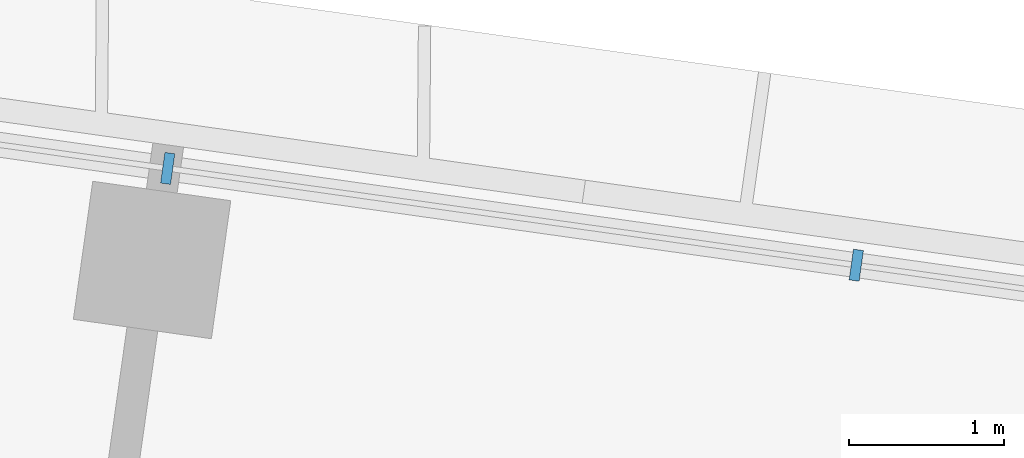
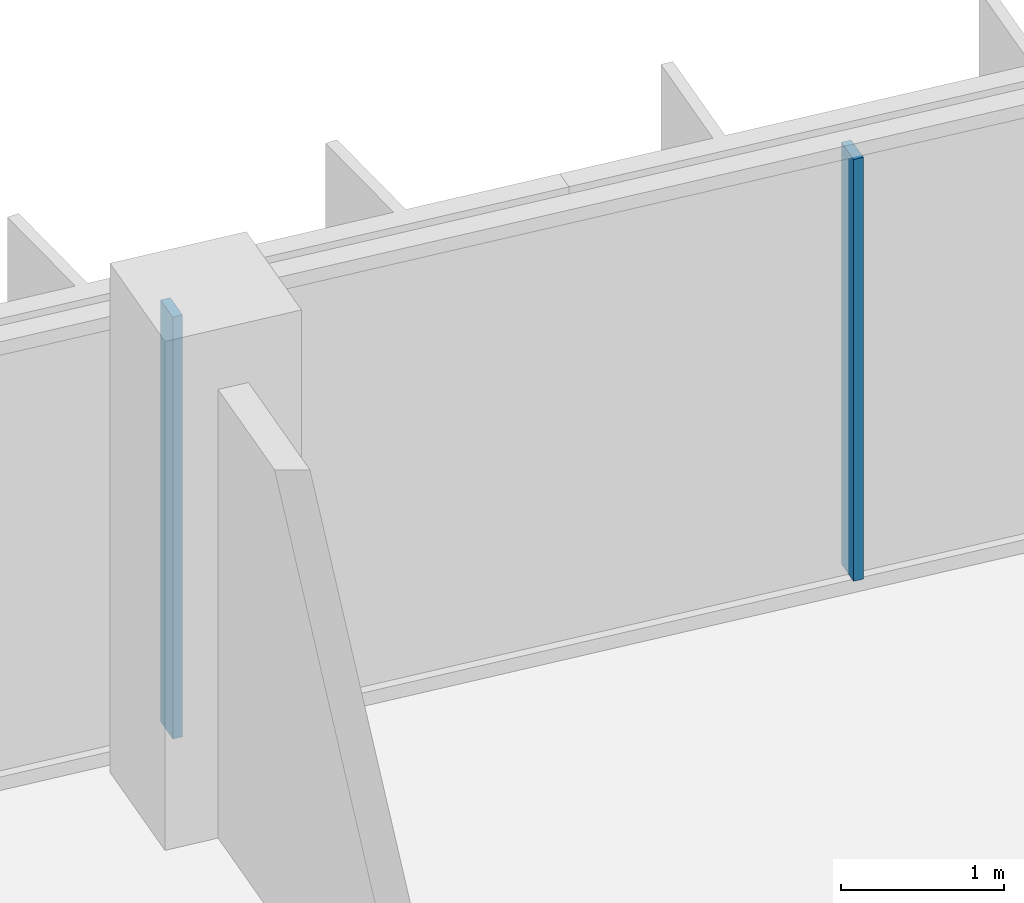
# One storey, part 3 of 26: 2 members, 1 element without a shape of its own.
"""IFC4 building model written with IfcOpenShell, lengths in metres."""

from ifc_helpers import new_model, si_unit, direction, frame, origin, origin_2d, place, context, subcontext, project, spatial, rectangle, extrude, material, material_profile, profile_set, type_object, element, aggregate, save


model = new_model("IFC4")

# Units and contexts
model_context = context("Model", 3, precision=1e-05, world=origin(), true_north=direction((0.0, 1.0)))
body_context = subcontext(model_context, "Body", "Model", "MODEL_VIEW")
ifc_project = project(units=[si_unit("LENGTHUNIT", "METRE"), si_unit("AREAUNIT", "SQUARE_METRE"), si_unit("VOLUMEUNIT", "CUBIC_METRE"), si_unit("PLANEANGLEUNIT", "RADIAN"), si_unit("MASSUNIT", "GRAM", prefix="KILO")], contexts=[model_context])

# Site, building, storey
site_placement = place(None, origin())
site = spatial("IfcSite", under=ifc_project, at=site_placement, CompositionType="ELEMENT")
building_placement = place(site_placement, origin())
building = spatial("IfcBuilding", under=site, at=building_placement, Name="Mirante Cascada Hotel Towers", CompositionType="ELEMENT")
storey_placement = place(building_placement, frame((0.0, 0.0, 113.9)))
storey = spatial("IfcBuildingStorey", under=building, at=storey_placement, Name="L25", CompositionType="ELEMENT", Elevation=113.9)

# Curtain wall, members
ifc_material_1 = material(Name="Aluminium mullion and transom frame with clear laminated glass", Category="aluminium")
curtain_wall_type = type_object("IfcCurtainWallType", Name="Ribbon curtain wall ECW1", PredefinedType="NOTDEFINED", material=ifc_material_1)
curtain_wall_placement = place(storey_placement, origin())
curtain_wall = element("IfcCurtainWall", 1, at=curtain_wall_placement, inside=storey, type_object=curtain_wall_type, Name="Front ribbon wall T1 L25", PredefinedType="NOTDEFINED")
ifc_material_2 = material(Name="Anodised aluminium extrusion", Category="aluminium")
ifc_material_profile = material_profile(ifc_material_2, rectangle(XDim=0.2, YDim=0.065, at=origin_2d()), Name="ECW1 MULLION 65x200")
ifc_profile_set = profile_set([ifc_material_profile], Name="Anodised aluminium extrusion")
member_type = type_object("IfcMemberType", Name="ECW1 mullion 65x200", PredefinedType="MULLION", material=ifc_profile_set)
member_1_placement = place(storey_placement, frame((-71.9211, 22.9269, 0.1), z_axis=(0.0, 0.0, 1.0), x_axis=(0.1391731, 0.9902681, 0.0)))
member_1 = element("IfcMember", 2, at=member_1_placement, type_object=member_type, Name="ECW1 mullion 6", PredefinedType="MULLION", context=body_context, shape_type="SweptSolid", body=[
    extrude(rectangle(XDim=0.2, YDim=0.065, at=origin_2d()), origin(), (0.0, 0.0, 1.0), 3.15),
])
member_2_placement = place(storey_placement, frame((-67.4737, 22.3018, 0.1), z_axis=(0.0, 0.0, 1.0), x_axis=(0.1391731, 0.9902681, 0.0)))
member_2 = element("IfcMember", 3, at=member_2_placement, type_object=member_type, Name="ECW1 mullion 7", PredefinedType="MULLION", context=body_context, shape_type="SweptSolid", body=[
    extrude(rectangle(XDim=0.2, YDim=0.065, at=origin_2d()), origin(), (0.0, 0.0, 1.0), 3.15),
])
aggregate(curtain_wall, [member_1, member_2])

save(model, "model.ifc")
